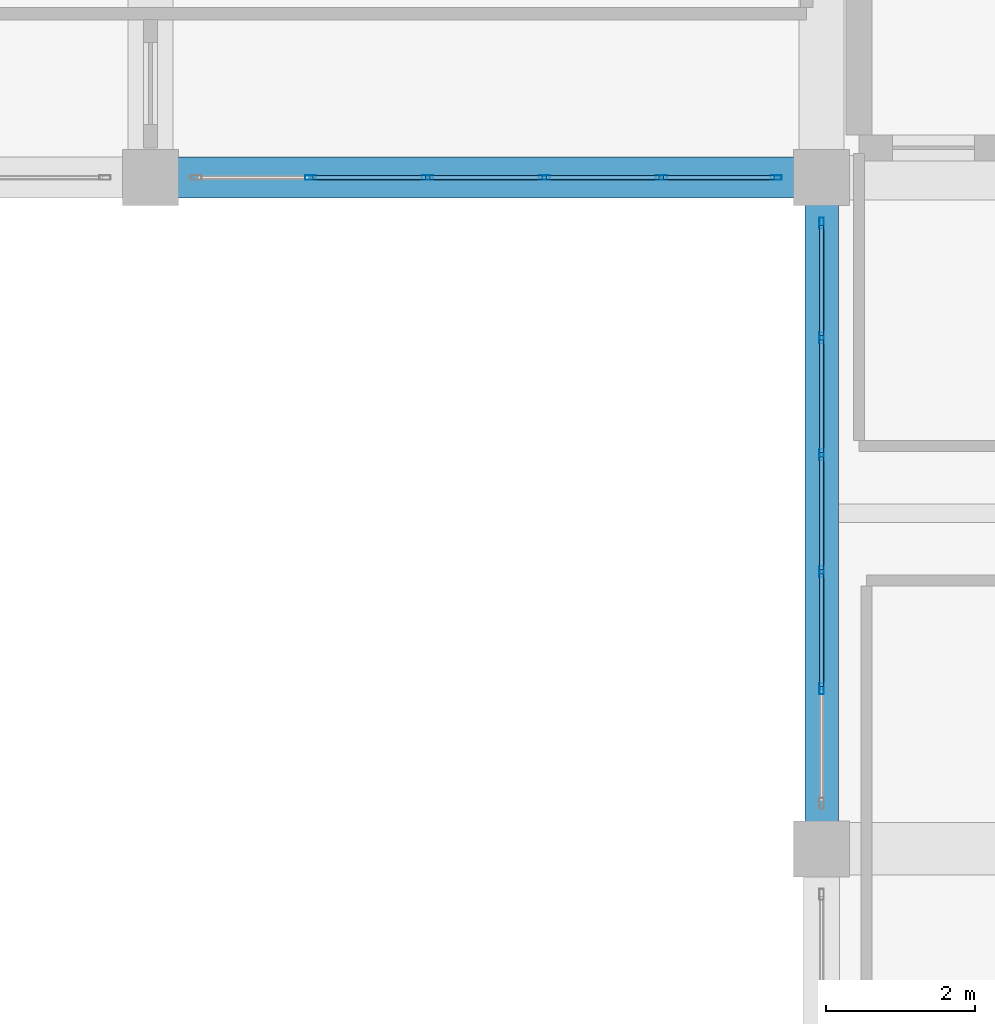
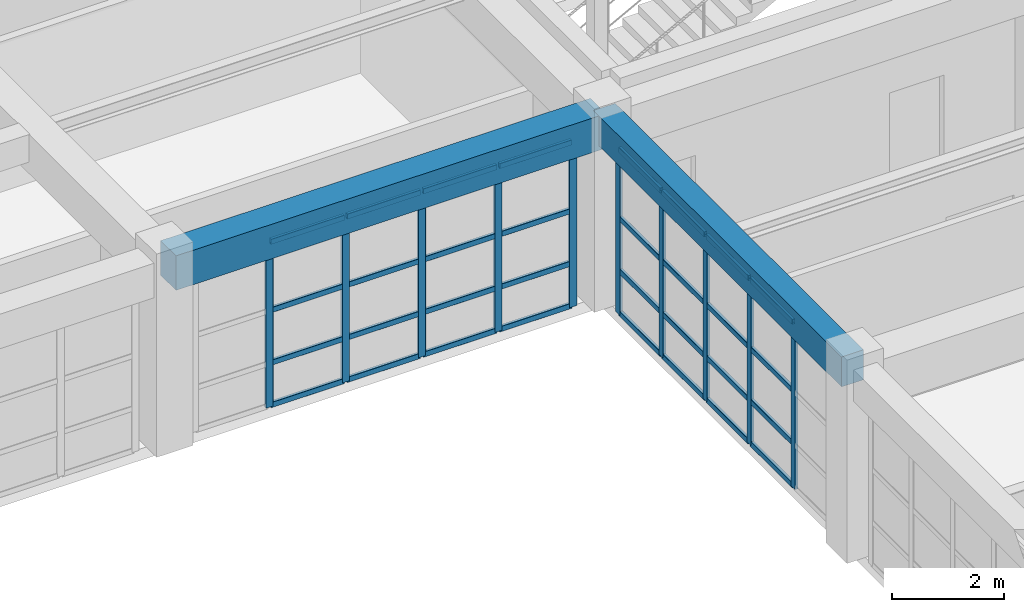
# One storey, part 71 of 133: 42 members, 2 beams, 2 elements without a shape of their own.
"""IFC4 building model written with IfcOpenShell, lengths in metres."""

from ifc_helpers import new_model, si_unit, direction, frame, origin, origin_2d, place, context, subcontext, project, spatial, rectangle, hollow_rectangle, extrude, material, material_profile, profile_set, type_object, element, aggregate, save


model = new_model("IFC4")

# Units and contexts
model_context = context("Model", 3, precision=1e-05, world=origin(), true_north=direction((0.0, 1.0)))
body_context = subcontext(model_context, "Body", "Model", "MODEL_VIEW")
ifc_project = project(units=[si_unit("LENGTHUNIT", "METRE"), si_unit("AREAUNIT", "SQUARE_METRE"), si_unit("VOLUMEUNIT", "CUBIC_METRE"), si_unit("PLANEANGLEUNIT", "RADIAN"), si_unit("MASSUNIT", "GRAM", prefix="KILO")], contexts=[model_context])

# Site, building, storey
site_placement = place(None, origin())
site = spatial("IfcSite", under=ifc_project, at=site_placement, CompositionType="ELEMENT")
building_placement = place(site_placement, origin())
building = spatial("IfcBuilding", under=site, at=building_placement, Name="Miravela Opera House", CompositionType="ELEMENT")
storey_placement = place(building_placement, frame((0.0, 0.0, 5.10009765625)))
storey = spatial("IfcBuildingStorey", under=building, at=storey_placement, Name="L01", CompositionType="ELEMENT", Elevation=5.10009765625)

# Curtain wall, members
ifc_material_1 = material(Name="Anodised architectural bronze aluminium 6063-T6", Category="aluminium")
curtain_wall_type = type_object("IfcCurtainWallType", Name="ARC-CW-05", PredefinedType="NOTDEFINED", material=ifc_material_1)
curtain_wall_1_placement = place(storey_placement, origin())
curtain_wall_1 = element("IfcCurtainWall", 1, at=curtain_wall_1_placement, inside=storey, type_object=curtain_wall_type, Name="Courtyard Arcade Curtain Wall CW-L01-084", PredefinedType="NOTDEFINED")
ifc_material_profile_1 = material_profile(ifc_material_1, hollow_rectangle(XDim=0.06005859375, YDim=0.14990234375, WallThickness=0.00390625, InnerFilletRadius=0.001953125, OuterFilletRadius=0.00390625, at=origin_2d()), Name="CWM-60X150")
ifc_profile_set_1 = profile_set([ifc_material_profile_1])
member_type_1 = type_object("IfcMemberType", Name="ARC-CWM-150", PredefinedType="MULLION", material=ifc_profile_set_1)
member_1_placement = place(storey_placement, frame((56.14794921875, 103.0, 0.0), z_axis=(0.0, 0.0, 1.0), x_axis=(0.0, 1.0, 0.0)))
member_1 = element("IfcMember", 2, at=member_1_placement, type_object=member_type_1, Name="CW-05 mullion 2", PredefinedType="MULLION", context=body_context, shape_type="SweptSolid", body=[
    extrude(hollow_rectangle(XDim=0.06005859375, YDim=0.14990234375, WallThickness=0.00390625, InnerFilletRadius=0.001953125, OuterFilletRadius=0.00390625, at=origin_2d()), origin(), (0.0, 0.0, 1.0), 3.60986328125),
])
member_2_placement = place(storey_placement, frame((57.716064453125, 103.0, 0.0), z_axis=(0.0, 0.0, 1.0), x_axis=(0.0, 1.0, 0.0)))
member_2 = element("IfcMember", 3, at=member_2_placement, type_object=member_type_1, Name="CW-05 mullion 3", PredefinedType="MULLION", context=body_context, shape_type="SweptSolid", body=[
    extrude(hollow_rectangle(XDim=0.06005859375, YDim=0.14990234375, WallThickness=0.00390625, InnerFilletRadius=0.001953125, OuterFilletRadius=0.00390625, at=origin_2d()), origin(), (0.0, 0.0, 1.0), 3.60986328125),
])
member_3_placement = place(storey_placement, frame((59.283935546875, 103.0, 0.0), z_axis=(0.0, 0.0, 1.0), x_axis=(0.0, 1.0, 0.0)))
member_3 = element("IfcMember", 4, at=member_3_placement, type_object=member_type_1, Name="CW-05 mullion 4", PredefinedType="MULLION", context=body_context, shape_type="SweptSolid", body=[
    extrude(hollow_rectangle(XDim=0.06005859375, YDim=0.14990234375, WallThickness=0.00390625, InnerFilletRadius=0.001953125, OuterFilletRadius=0.00390625, at=origin_2d()), origin(), (0.0, 0.0, 1.0), 3.60986328125),
])
member_4_placement = place(storey_placement, frame((60.85205078125, 103.0, 0.0), z_axis=(0.0, 0.0, 1.0), x_axis=(0.0, 1.0, 0.0)))
member_4 = element("IfcMember", 5, at=member_4_placement, type_object=member_type_1, Name="CW-05 mullion 5", PredefinedType="MULLION", context=body_context, shape_type="SweptSolid", body=[
    extrude(hollow_rectangle(XDim=0.06005859375, YDim=0.14990234375, WallThickness=0.00390625, InnerFilletRadius=0.001953125, OuterFilletRadius=0.00390625, at=origin_2d()), origin(), (0.0, 0.0, 1.0), 3.60986328125),
])
member_5_placement = place(storey_placement, frame((62.389892578125, 103.0, 0.0), z_axis=(0.0, 0.0, 1.0), x_axis=(0.0, 1.0, 0.0)))
member_5 = element("IfcMember", 6, at=member_5_placement, type_object=member_type_1, Name="CW-05 mullion 6", PredefinedType="MULLION", context=body_context, shape_type="SweptSolid", body=[
    extrude(hollow_rectangle(XDim=0.06005859375, YDim=0.14990234375, WallThickness=0.00390625, InnerFilletRadius=0.001953125, OuterFilletRadius=0.00390625, at=origin_2d()), origin(), (0.0, 0.0, 1.0), 3.60986328125),
])

curtain_wall_2_placement = place(storey_placement, origin())
curtain_wall_2 = element("IfcCurtainWall", 7, at=curtain_wall_2_placement, inside=storey, type_object=curtain_wall_type, Name="Courtyard Arcade Curtain Wall CW-L01-088", PredefinedType="NOTDEFINED")
member_6_placement = place(storey_placement, frame((63.0, 96.14794921875, 0.0), z_axis=(0.0, 0.0, 1.0), x_axis=(-1.0, 0.0, 0.0)))
member_6 = element("IfcMember", 8, at=member_6_placement, type_object=member_type_1, Name="CW-05 mullion 2", PredefinedType="MULLION", context=body_context, shape_type="SweptSolid", body=[
    extrude(hollow_rectangle(XDim=0.06005859375, YDim=0.14990234375, WallThickness=0.00390625, InnerFilletRadius=0.001953125, OuterFilletRadius=0.00390625, at=origin_2d()), origin(), (0.0, 0.0, 1.0), 3.60986328125),
])
member_7_placement = place(storey_placement, frame((63.0, 97.716064453125, 0.0), z_axis=(0.0, 0.0, 1.0), x_axis=(-1.0, 0.0, 0.0)))
member_7 = element("IfcMember", 9, at=member_7_placement, type_object=member_type_1, Name="CW-05 mullion 3", PredefinedType="MULLION", context=body_context, shape_type="SweptSolid", body=[
    extrude(hollow_rectangle(XDim=0.06005859375, YDim=0.14990234375, WallThickness=0.00390625, InnerFilletRadius=0.001953125, OuterFilletRadius=0.00390625, at=origin_2d()), origin(), (0.0, 0.0, 1.0), 3.60986328125),
])
member_8_placement = place(storey_placement, frame((63.0, 99.283935546875, 0.0), z_axis=(0.0, 0.0, 1.0), x_axis=(-1.0, 0.0, 0.0)))
member_8 = element("IfcMember", 10, at=member_8_placement, type_object=member_type_1, Name="CW-05 mullion 4", PredefinedType="MULLION", context=body_context, shape_type="SweptSolid", body=[
    extrude(hollow_rectangle(XDim=0.06005859375, YDim=0.14990234375, WallThickness=0.00390625, InnerFilletRadius=0.001953125, OuterFilletRadius=0.00390625, at=origin_2d()), origin(), (0.0, 0.0, 1.0), 3.60986328125),
])
member_9_placement = place(storey_placement, frame((63.0, 100.85205078125, 0.0), z_axis=(0.0, 0.0, 1.0), x_axis=(-1.0, 0.0, 0.0)))
member_9 = element("IfcMember", 11, at=member_9_placement, type_object=member_type_1, Name="CW-05 mullion 5", PredefinedType="MULLION", context=body_context, shape_type="SweptSolid", body=[
    extrude(hollow_rectangle(XDim=0.06005859375, YDim=0.14990234375, WallThickness=0.00390625, InnerFilletRadius=0.001953125, OuterFilletRadius=0.00390625, at=origin_2d()), origin(), (0.0, 0.0, 1.0), 3.60986328125),
])
member_10_placement = place(storey_placement, frame((63.0, 102.389892578125, 0.0), z_axis=(0.0, 0.0, 1.0), x_axis=(-1.0, 0.0, 0.0)))
member_10 = element("IfcMember", 12, at=member_10_placement, type_object=member_type_1, Name="CW-05 mullion 6", PredefinedType="MULLION", context=body_context, shape_type="SweptSolid", body=[
    extrude(hollow_rectangle(XDim=0.06005859375, YDim=0.14990234375, WallThickness=0.00390625, InnerFilletRadius=0.001953125, OuterFilletRadius=0.00390625, at=origin_2d()), origin(), (0.0, 0.0, 1.0), 3.60986328125),
])

# Member
ifc_material_profile_2 = material_profile(ifc_material_1, hollow_rectangle(XDim=0.06005859375, YDim=0.114990234375, WallThickness=0.00390625, InnerFilletRadius=0.001953125, OuterFilletRadius=0.00390625, at=origin_2d()), Name="CWT-60X115")
ifc_profile_set_2 = profile_set([ifc_material_profile_2])
member_type_2 = type_object("IfcMemberType", Name="ARC-CWT-115", PredefinedType="USERDEFINED", material=ifc_profile_set_2)
member_11_placement = place(storey_placement, frame((56.177978515625, 103.0, 0.02978515625), z_axis=(1.0, 0.0, 0.0), x_axis=(0.0, 1.0, 0.0)))
member_11 = element("IfcMember", 13, at=member_11_placement, type_object=member_type_2, Name="CW-05 transom 2.1", ObjectType="TRANSOM", PredefinedType="USERDEFINED", context=body_context, shape_type="SweptSolid", body=[
    extrude(hollow_rectangle(XDim=0.06005859375, YDim=0.114990234375, WallThickness=0.00390625, InnerFilletRadius=0.001953125, OuterFilletRadius=0.00390625, at=origin_2d()), origin(), (0.0, 0.0, 1.0), 1.508056640625),
])

member_12_placement = place(storey_placement, frame((56.177978515625, 103.0, 0.949951171875), z_axis=(1.0, 0.0, 0.0), x_axis=(0.0, 1.0, 0.0)))
member_12 = element("IfcMember", 14, at=member_12_placement, type_object=member_type_2, Name="CW-05 transom 2.2", ObjectType="TRANSOM", PredefinedType="USERDEFINED", context=body_context, shape_type="SweptSolid", body=[
    extrude(hollow_rectangle(XDim=0.06005859375, YDim=0.114990234375, WallThickness=0.00390625, InnerFilletRadius=0.001953125, OuterFilletRadius=0.00390625, at=origin_2d()), origin(), (0.0, 0.0, 1.0), 1.508056640625),
])

member_13_placement = place(storey_placement, frame((56.177978515625, 103.0, 2.09375), z_axis=(1.0, 0.0, 0.0), x_axis=(0.0, 1.0, 0.0)))
member_13 = element("IfcMember", 15, at=member_13_placement, type_object=member_type_2, Name="CW-05 transom 2.3", ObjectType="TRANSOM", PredefinedType="USERDEFINED", context=body_context, shape_type="SweptSolid", body=[
    extrude(hollow_rectangle(XDim=0.06005859375, YDim=0.114990234375, WallThickness=0.00390625, InnerFilletRadius=0.001953125, OuterFilletRadius=0.00390625, at=origin_2d()), origin(), (0.0, 0.0, 1.0), 1.508056640625),
])

member_14_placement = place(storey_placement, frame((56.177978515625, 103.0, 3.579833984375), z_axis=(1.0, 0.0, 0.0), x_axis=(0.0, 1.0, 0.0)))
member_14 = element("IfcMember", 16, at=member_14_placement, type_object=member_type_2, Name="CW-05 transom 2.4", ObjectType="TRANSOM", PredefinedType="USERDEFINED", context=body_context, shape_type="SweptSolid", body=[
    extrude(hollow_rectangle(XDim=0.06005859375, YDim=0.114990234375, WallThickness=0.00390625, InnerFilletRadius=0.001953125, OuterFilletRadius=0.00390625, at=origin_2d()), origin(), (0.0, 0.0, 1.0), 1.508056640625),
])

member_15_placement = place(storey_placement, frame((57.74609375, 103.0, 0.02978515625), z_axis=(1.0, 0.0, 0.0), x_axis=(0.0, 1.0, 0.0)))
member_15 = element("IfcMember", 17, at=member_15_placement, type_object=member_type_2, Name="CW-05 transom 3.1", ObjectType="TRANSOM", PredefinedType="USERDEFINED", context=body_context, shape_type="SweptSolid", body=[
    extrude(hollow_rectangle(XDim=0.06005859375, YDim=0.114990234375, WallThickness=0.00390625, InnerFilletRadius=0.001953125, OuterFilletRadius=0.00390625, at=origin_2d()), origin(), (0.0, 0.0, 1.0), 1.5078125),
])

member_16_placement = place(storey_placement, frame((57.74609375, 103.0, 0.949951171875), z_axis=(1.0, 0.0, 0.0), x_axis=(0.0, 1.0, 0.0)))
member_16 = element("IfcMember", 18, at=member_16_placement, type_object=member_type_2, Name="CW-05 transom 3.2", ObjectType="TRANSOM", PredefinedType="USERDEFINED", context=body_context, shape_type="SweptSolid", body=[
    extrude(hollow_rectangle(XDim=0.06005859375, YDim=0.114990234375, WallThickness=0.00390625, InnerFilletRadius=0.001953125, OuterFilletRadius=0.00390625, at=origin_2d()), origin(), (0.0, 0.0, 1.0), 1.5078125),
])

member_17_placement = place(storey_placement, frame((57.74609375, 103.0, 2.09375), z_axis=(1.0, 0.0, 0.0), x_axis=(0.0, 1.0, 0.0)))
member_17 = element("IfcMember", 19, at=member_17_placement, type_object=member_type_2, Name="CW-05 transom 3.3", ObjectType="TRANSOM", PredefinedType="USERDEFINED", context=body_context, shape_type="SweptSolid", body=[
    extrude(hollow_rectangle(XDim=0.06005859375, YDim=0.114990234375, WallThickness=0.00390625, InnerFilletRadius=0.001953125, OuterFilletRadius=0.00390625, at=origin_2d()), origin(), (0.0, 0.0, 1.0), 1.5078125),
])

member_18_placement = place(storey_placement, frame((57.74609375, 103.0, 3.579833984375), z_axis=(1.0, 0.0, 0.0), x_axis=(0.0, 1.0, 0.0)))
member_18 = element("IfcMember", 20, at=member_18_placement, type_object=member_type_2, Name="CW-05 transom 3.4", ObjectType="TRANSOM", PredefinedType="USERDEFINED", context=body_context, shape_type="SweptSolid", body=[
    extrude(hollow_rectangle(XDim=0.06005859375, YDim=0.114990234375, WallThickness=0.00390625, InnerFilletRadius=0.001953125, OuterFilletRadius=0.00390625, at=origin_2d()), origin(), (0.0, 0.0, 1.0), 1.5078125),
])

member_19_placement = place(storey_placement, frame((59.31396484375, 103.0, 0.02978515625), z_axis=(1.0, 0.0, 0.0), x_axis=(0.0, 1.0, 0.0)))
member_19 = element("IfcMember", 21, at=member_19_placement, type_object=member_type_2, Name="CW-05 transom 4.1", ObjectType="TRANSOM", PredefinedType="USERDEFINED", context=body_context, shape_type="SweptSolid", body=[
    extrude(hollow_rectangle(XDim=0.06005859375, YDim=0.114990234375, WallThickness=0.00390625, InnerFilletRadius=0.001953125, OuterFilletRadius=0.00390625, at=origin_2d()), origin(), (0.0, 0.0, 1.0), 1.508056640625),
])

member_20_placement = place(storey_placement, frame((59.31396484375, 103.0, 0.949951171875), z_axis=(1.0, 0.0, 0.0), x_axis=(0.0, 1.0, 0.0)))
member_20 = element("IfcMember", 22, at=member_20_placement, type_object=member_type_2, Name="CW-05 transom 4.2", ObjectType="TRANSOM", PredefinedType="USERDEFINED", context=body_context, shape_type="SweptSolid", body=[
    extrude(hollow_rectangle(XDim=0.06005859375, YDim=0.114990234375, WallThickness=0.00390625, InnerFilletRadius=0.001953125, OuterFilletRadius=0.00390625, at=origin_2d()), origin(), (0.0, 0.0, 1.0), 1.508056640625),
])

member_21_placement = place(storey_placement, frame((59.31396484375, 103.0, 2.09375), z_axis=(1.0, 0.0, 0.0), x_axis=(0.0, 1.0, 0.0)))
member_21 = element("IfcMember", 23, at=member_21_placement, type_object=member_type_2, Name="CW-05 transom 4.3", ObjectType="TRANSOM", PredefinedType="USERDEFINED", context=body_context, shape_type="SweptSolid", body=[
    extrude(hollow_rectangle(XDim=0.06005859375, YDim=0.114990234375, WallThickness=0.00390625, InnerFilletRadius=0.001953125, OuterFilletRadius=0.00390625, at=origin_2d()), origin(), (0.0, 0.0, 1.0), 1.508056640625),
])

member_22_placement = place(storey_placement, frame((59.31396484375, 103.0, 3.579833984375), z_axis=(1.0, 0.0, 0.0), x_axis=(0.0, 1.0, 0.0)))
member_22 = element("IfcMember", 24, at=member_22_placement, type_object=member_type_2, Name="CW-05 transom 4.4", ObjectType="TRANSOM", PredefinedType="USERDEFINED", context=body_context, shape_type="SweptSolid", body=[
    extrude(hollow_rectangle(XDim=0.06005859375, YDim=0.114990234375, WallThickness=0.00390625, InnerFilletRadius=0.001953125, OuterFilletRadius=0.00390625, at=origin_2d()), origin(), (0.0, 0.0, 1.0), 1.508056640625),
])

member_23_placement = place(storey_placement, frame((60.882080078125, 103.0, 0.02978515625), z_axis=(1.0, 0.0, 0.0), x_axis=(0.0, 1.0, 0.0)))
member_23 = element("IfcMember", 25, at=member_23_placement, type_object=member_type_2, Name="CW-05 transom 5.1", ObjectType="TRANSOM", PredefinedType="USERDEFINED", context=body_context, shape_type="SweptSolid", body=[
    extrude(hollow_rectangle(XDim=0.06005859375, YDim=0.114990234375, WallThickness=0.00390625, InnerFilletRadius=0.001953125, OuterFilletRadius=0.00390625, at=origin_2d()), origin(), (0.0, 0.0, 1.0), 1.47802734375),
])

member_24_placement = place(storey_placement, frame((60.882080078125, 103.0, 0.949951171875), z_axis=(1.0, 0.0, 0.0), x_axis=(0.0, 1.0, 0.0)))
member_24 = element("IfcMember", 26, at=member_24_placement, type_object=member_type_2, Name="CW-05 transom 5.2", ObjectType="TRANSOM", PredefinedType="USERDEFINED", context=body_context, shape_type="SweptSolid", body=[
    extrude(hollow_rectangle(XDim=0.06005859375, YDim=0.114990234375, WallThickness=0.00390625, InnerFilletRadius=0.001953125, OuterFilletRadius=0.00390625, at=origin_2d()), origin(), (0.0, 0.0, 1.0), 1.47802734375),
])

member_25_placement = place(storey_placement, frame((60.882080078125, 103.0, 2.09375), z_axis=(1.0, 0.0, 0.0), x_axis=(0.0, 1.0, 0.0)))
member_25 = element("IfcMember", 27, at=member_25_placement, type_object=member_type_2, Name="CW-05 transom 5.3", ObjectType="TRANSOM", PredefinedType="USERDEFINED", context=body_context, shape_type="SweptSolid", body=[
    extrude(hollow_rectangle(XDim=0.06005859375, YDim=0.114990234375, WallThickness=0.00390625, InnerFilletRadius=0.001953125, OuterFilletRadius=0.00390625, at=origin_2d()), origin(), (0.0, 0.0, 1.0), 1.47802734375),
])

member_26_placement = place(storey_placement, frame((60.882080078125, 103.0, 3.579833984375), z_axis=(1.0, 0.0, 0.0), x_axis=(0.0, 1.0, 0.0)))
member_26 = element("IfcMember", 28, at=member_26_placement, type_object=member_type_2, Name="CW-05 transom 5.4", ObjectType="TRANSOM", PredefinedType="USERDEFINED", context=body_context, shape_type="SweptSolid", body=[
    extrude(hollow_rectangle(XDim=0.06005859375, YDim=0.114990234375, WallThickness=0.00390625, InnerFilletRadius=0.001953125, OuterFilletRadius=0.00390625, at=origin_2d()), origin(), (0.0, 0.0, 1.0), 1.47802734375),
])

aggregate(curtain_wall_1, [member_1, member_2, member_3, member_4, member_5, member_11, member_12, member_13, member_14, member_15, member_16, member_17, member_18, member_19, member_20, member_21, member_22, member_23, member_24, member_25, member_26])

member_27_placement = place(storey_placement, frame((63.0, 96.177978515625, 0.02978515625), z_axis=(0.0, 1.0, 0.0), x_axis=(-1.0, 0.0, 0.0)))
member_27 = element("IfcMember", 29, at=member_27_placement, type_object=member_type_2, Name="CW-05 transom 2.1", ObjectType="TRANSOM", PredefinedType="USERDEFINED", context=body_context, shape_type="SweptSolid", body=[
    extrude(hollow_rectangle(XDim=0.06005859375, YDim=0.114990234375, WallThickness=0.00390625, InnerFilletRadius=0.001953125, OuterFilletRadius=0.00390625, at=origin_2d()), origin(), (0.0, 0.0, 1.0), 1.508056640625),
])

member_28_placement = place(storey_placement, frame((63.0, 96.177978515625, 0.949951171875), z_axis=(0.0, 1.0, 0.0), x_axis=(-1.0, 0.0, 0.0)))
member_28 = element("IfcMember", 30, at=member_28_placement, type_object=member_type_2, Name="CW-05 transom 2.2", ObjectType="TRANSOM", PredefinedType="USERDEFINED", context=body_context, shape_type="SweptSolid", body=[
    extrude(hollow_rectangle(XDim=0.06005859375, YDim=0.114990234375, WallThickness=0.00390625, InnerFilletRadius=0.001953125, OuterFilletRadius=0.00390625, at=origin_2d()), origin(), (0.0, 0.0, 1.0), 1.508056640625),
])

member_29_placement = place(storey_placement, frame((63.0, 96.177978515625, 2.09375), z_axis=(0.0, 1.0, 0.0), x_axis=(-1.0, 0.0, 0.0)))
member_29 = element("IfcMember", 31, at=member_29_placement, type_object=member_type_2, Name="CW-05 transom 2.3", ObjectType="TRANSOM", PredefinedType="USERDEFINED", context=body_context, shape_type="SweptSolid", body=[
    extrude(hollow_rectangle(XDim=0.06005859375, YDim=0.114990234375, WallThickness=0.00390625, InnerFilletRadius=0.001953125, OuterFilletRadius=0.00390625, at=origin_2d()), origin(), (0.0, 0.0, 1.0), 1.508056640625),
])

member_30_placement = place(storey_placement, frame((63.0, 96.177978515625, 3.579833984375), z_axis=(0.0, 1.0, 0.0), x_axis=(-1.0, 0.0, 0.0)))
member_30 = element("IfcMember", 32, at=member_30_placement, type_object=member_type_2, Name="CW-05 transom 2.4", ObjectType="TRANSOM", PredefinedType="USERDEFINED", context=body_context, shape_type="SweptSolid", body=[
    extrude(hollow_rectangle(XDim=0.06005859375, YDim=0.114990234375, WallThickness=0.00390625, InnerFilletRadius=0.001953125, OuterFilletRadius=0.00390625, at=origin_2d()), origin(), (0.0, 0.0, 1.0), 1.508056640625),
])

member_31_placement = place(storey_placement, frame((63.0, 97.74609375, 0.02978515625), z_axis=(0.0, 1.0, 0.0), x_axis=(-1.0, 0.0, 0.0)))
member_31 = element("IfcMember", 33, at=member_31_placement, type_object=member_type_2, Name="CW-05 transom 3.1", ObjectType="TRANSOM", PredefinedType="USERDEFINED", context=body_context, shape_type="SweptSolid", body=[
    extrude(hollow_rectangle(XDim=0.06005859375, YDim=0.114990234375, WallThickness=0.00390625, InnerFilletRadius=0.001953125, OuterFilletRadius=0.00390625, at=origin_2d()), origin(), (0.0, 0.0, 1.0), 1.5078125),
])

member_32_placement = place(storey_placement, frame((63.0, 97.74609375, 0.949951171875), z_axis=(0.0, 1.0, 0.0), x_axis=(-1.0, 0.0, 0.0)))
member_32 = element("IfcMember", 34, at=member_32_placement, type_object=member_type_2, Name="CW-05 transom 3.2", ObjectType="TRANSOM", PredefinedType="USERDEFINED", context=body_context, shape_type="SweptSolid", body=[
    extrude(hollow_rectangle(XDim=0.06005859375, YDim=0.114990234375, WallThickness=0.00390625, InnerFilletRadius=0.001953125, OuterFilletRadius=0.00390625, at=origin_2d()), origin(), (0.0, 0.0, 1.0), 1.5078125),
])

member_33_placement = place(storey_placement, frame((63.0, 97.74609375, 2.09375), z_axis=(0.0, 1.0, 0.0), x_axis=(-1.0, 0.0, 0.0)))
member_33 = element("IfcMember", 35, at=member_33_placement, type_object=member_type_2, Name="CW-05 transom 3.3", ObjectType="TRANSOM", PredefinedType="USERDEFINED", context=body_context, shape_type="SweptSolid", body=[
    extrude(hollow_rectangle(XDim=0.06005859375, YDim=0.114990234375, WallThickness=0.00390625, InnerFilletRadius=0.001953125, OuterFilletRadius=0.00390625, at=origin_2d()), origin(), (0.0, 0.0, 1.0), 1.5078125),
])

member_34_placement = place(storey_placement, frame((63.0, 97.74609375, 3.579833984375), z_axis=(0.0, 1.0, 0.0), x_axis=(-1.0, 0.0, 0.0)))
member_34 = element("IfcMember", 36, at=member_34_placement, type_object=member_type_2, Name="CW-05 transom 3.4", ObjectType="TRANSOM", PredefinedType="USERDEFINED", context=body_context, shape_type="SweptSolid", body=[
    extrude(hollow_rectangle(XDim=0.06005859375, YDim=0.114990234375, WallThickness=0.00390625, InnerFilletRadius=0.001953125, OuterFilletRadius=0.00390625, at=origin_2d()), origin(), (0.0, 0.0, 1.0), 1.5078125),
])

member_35_placement = place(storey_placement, frame((63.0, 99.31396484375, 0.02978515625), z_axis=(0.0, 1.0, 0.0), x_axis=(-1.0, 0.0, 0.0)))
member_35 = element("IfcMember", 37, at=member_35_placement, type_object=member_type_2, Name="CW-05 transom 4.1", ObjectType="TRANSOM", PredefinedType="USERDEFINED", context=body_context, shape_type="SweptSolid", body=[
    extrude(hollow_rectangle(XDim=0.06005859375, YDim=0.114990234375, WallThickness=0.00390625, InnerFilletRadius=0.001953125, OuterFilletRadius=0.00390625, at=origin_2d()), origin(), (0.0, 0.0, 1.0), 1.508056640625),
])

member_36_placement = place(storey_placement, frame((63.0, 99.31396484375, 0.949951171875), z_axis=(0.0, 1.0, 0.0), x_axis=(-1.0, 0.0, 0.0)))
member_36 = element("IfcMember", 38, at=member_36_placement, type_object=member_type_2, Name="CW-05 transom 4.2", ObjectType="TRANSOM", PredefinedType="USERDEFINED", context=body_context, shape_type="SweptSolid", body=[
    extrude(hollow_rectangle(XDim=0.06005859375, YDim=0.114990234375, WallThickness=0.00390625, InnerFilletRadius=0.001953125, OuterFilletRadius=0.00390625, at=origin_2d()), origin(), (0.0, 0.0, 1.0), 1.508056640625),
])

member_37_placement = place(storey_placement, frame((63.0, 99.31396484375, 2.09375), z_axis=(0.0, 1.0, 0.0), x_axis=(-1.0, 0.0, 0.0)))
member_37 = element("IfcMember", 39, at=member_37_placement, type_object=member_type_2, Name="CW-05 transom 4.3", ObjectType="TRANSOM", PredefinedType="USERDEFINED", context=body_context, shape_type="SweptSolid", body=[
    extrude(hollow_rectangle(XDim=0.06005859375, YDim=0.114990234375, WallThickness=0.00390625, InnerFilletRadius=0.001953125, OuterFilletRadius=0.00390625, at=origin_2d()), origin(), (0.0, 0.0, 1.0), 1.508056640625),
])

member_38_placement = place(storey_placement, frame((63.0, 99.31396484375, 3.579833984375), z_axis=(0.0, 1.0, 0.0), x_axis=(-1.0, 0.0, 0.0)))
member_38 = element("IfcMember", 40, at=member_38_placement, type_object=member_type_2, Name="CW-05 transom 4.4", ObjectType="TRANSOM", PredefinedType="USERDEFINED", context=body_context, shape_type="SweptSolid", body=[
    extrude(hollow_rectangle(XDim=0.06005859375, YDim=0.114990234375, WallThickness=0.00390625, InnerFilletRadius=0.001953125, OuterFilletRadius=0.00390625, at=origin_2d()), origin(), (0.0, 0.0, 1.0), 1.508056640625),
])

member_39_placement = place(storey_placement, frame((63.0, 100.882080078125, 0.02978515625), z_axis=(0.0, 1.0, 0.0), x_axis=(-1.0, 0.0, 0.0)))
member_39 = element("IfcMember", 41, at=member_39_placement, type_object=member_type_2, Name="CW-05 transom 5.1", ObjectType="TRANSOM", PredefinedType="USERDEFINED", context=body_context, shape_type="SweptSolid", body=[
    extrude(hollow_rectangle(XDim=0.06005859375, YDim=0.114990234375, WallThickness=0.00390625, InnerFilletRadius=0.001953125, OuterFilletRadius=0.00390625, at=origin_2d()), origin(), (0.0, 0.0, 1.0), 1.47802734375),
])

member_40_placement = place(storey_placement, frame((63.0, 100.882080078125, 0.949951171875), z_axis=(0.0, 1.0, 0.0), x_axis=(-1.0, 0.0, 0.0)))
member_40 = element("IfcMember", 42, at=member_40_placement, type_object=member_type_2, Name="CW-05 transom 5.2", ObjectType="TRANSOM", PredefinedType="USERDEFINED", context=body_context, shape_type="SweptSolid", body=[
    extrude(hollow_rectangle(XDim=0.06005859375, YDim=0.114990234375, WallThickness=0.00390625, InnerFilletRadius=0.001953125, OuterFilletRadius=0.00390625, at=origin_2d()), origin(), (0.0, 0.0, 1.0), 1.47802734375),
])

member_41_placement = place(storey_placement, frame((63.0, 100.882080078125, 2.09375), z_axis=(0.0, 1.0, 0.0), x_axis=(-1.0, 0.0, 0.0)))
member_41 = element("IfcMember", 43, at=member_41_placement, type_object=member_type_2, Name="CW-05 transom 5.3", ObjectType="TRANSOM", PredefinedType="USERDEFINED", context=body_context, shape_type="SweptSolid", body=[
    extrude(hollow_rectangle(XDim=0.06005859375, YDim=0.114990234375, WallThickness=0.00390625, InnerFilletRadius=0.001953125, OuterFilletRadius=0.00390625, at=origin_2d()), origin(), (0.0, 0.0, 1.0), 1.47802734375),
])

member_42_placement = place(storey_placement, frame((63.0, 100.882080078125, 3.579833984375), z_axis=(0.0, 1.0, 0.0), x_axis=(-1.0, 0.0, 0.0)))
member_42 = element("IfcMember", 44, at=member_42_placement, type_object=member_type_2, Name="CW-05 transom 5.4", ObjectType="TRANSOM", PredefinedType="USERDEFINED", context=body_context, shape_type="SweptSolid", body=[
    extrude(hollow_rectangle(XDim=0.06005859375, YDim=0.114990234375, WallThickness=0.00390625, InnerFilletRadius=0.001953125, OuterFilletRadius=0.00390625, at=origin_2d()), origin(), (0.0, 0.0, 1.0), 1.47802734375),
])

aggregate(curtain_wall_2, [member_6, member_7, member_8, member_9, member_10, member_27, member_28, member_29, member_30, member_31, member_32, member_33, member_34, member_35, member_36, member_37, member_38, member_39, member_40, member_41, member_42])

# Beams
ifc_material_2 = material(Name="Concrete C35/45", Category="concrete")
ifc_material_profile_3 = material_profile(ifc_material_2, rectangle(XDim=0.449951171875, YDim=0.64990234375, at=origin_2d()), Name="RC-BM-450X650")
ifc_profile_set_3 = profile_set([ifc_material_profile_3])
beam_type_1 = type_object("IfcBeamType", Name="STR-BM-RC450X650", PredefinedType="BEAM", material=ifc_profile_set_3)
beam_1_placement = place(storey_placement, frame((63.0, 94.080078125, 3.8349609375), z_axis=(0.0, 1.0, 0.0), x_axis=(-1.0, 0.0, 0.0)))
element("IfcBeam", 45, at=beam_1_placement, inside=storey, type_object=beam_type_1, Name="Floor Girder L01 8/K-L", PredefinedType="BEAM", context=body_context, shape_type="SweptSolid", body=[
    extrude(rectangle(XDim=0.449951171875, YDim=0.64990234375, at=origin_2d()), origin(), (0.0, 0.0, 1.0), 8.83984375),
])
ifc_material_profile_4 = material_profile(ifc_material_2, rectangle(XDim=0.550048828125, YDim=0.75, at=origin_2d()), Name="RC-BM-550X750")
ifc_profile_set_4 = profile_set([ifc_material_profile_4])
beam_type_2 = type_object("IfcBeamType", Name="STR-BM-RC550X750", PredefinedType="BEAM", material=ifc_profile_set_4)
beam_2_placement = place(storey_placement, frame((54.080078125, 103.0, 3.784912109375), z_axis=(1.0, 0.0, 0.0), x_axis=(0.0, 1.0, 0.0)))
element("IfcBeam", 46, at=beam_2_placement, inside=storey, type_object=beam_type_2, Name="Floor Girder L01 7-8/L", PredefinedType="BEAM", context=body_context, shape_type="SweptSolid", body=[
    extrude(rectangle(XDim=0.550048828125, YDim=0.75, at=origin_2d()), origin(), (0.0, 0.0, 1.0), 8.83984375),
])

save(model, "model.ifc")
